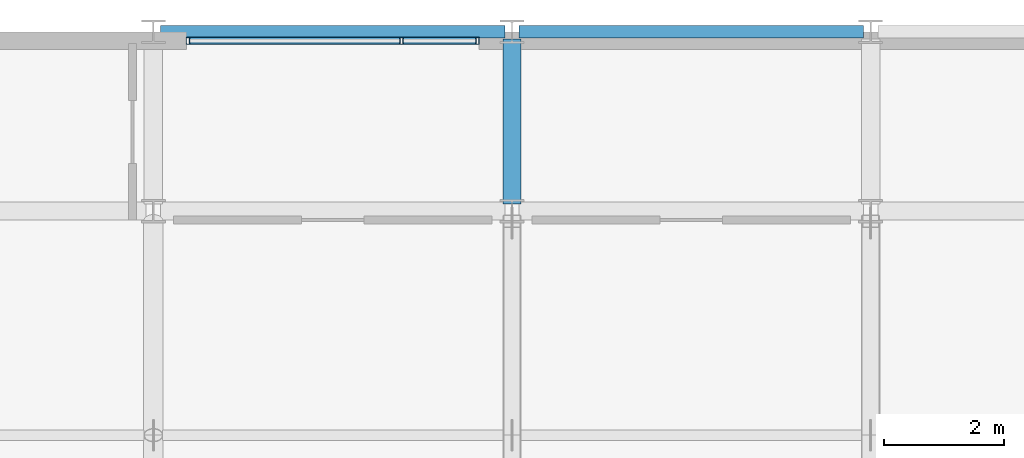
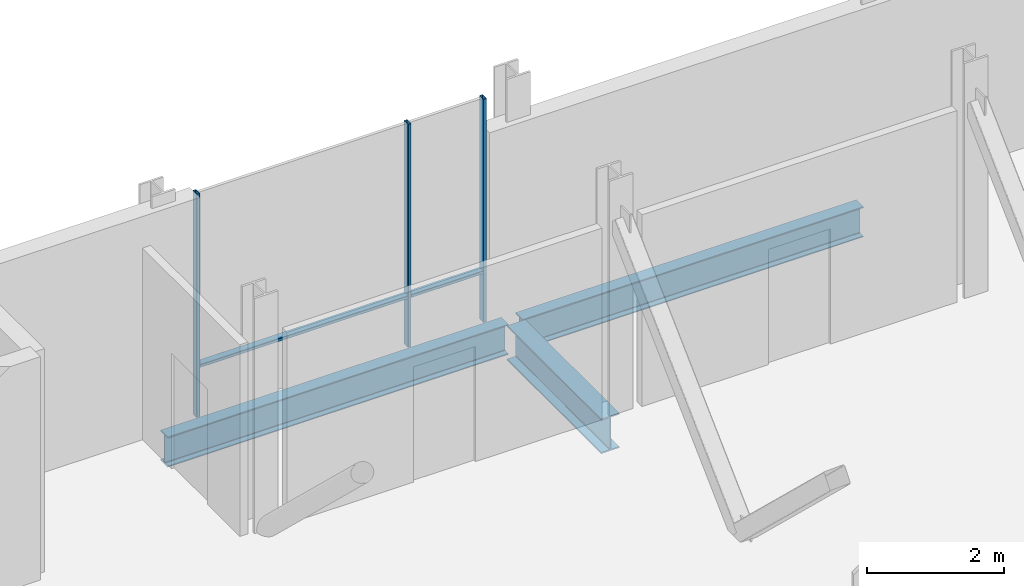
# One storey, part 8 of 33: 5 members, 3 beams, 1 element without a shape of its own.
"""IFC4 building model written with IfcOpenShell, lengths in metres."""

from ifc_helpers import new_model, si_unit, direction, frame, origin, origin_2d, place, context, subcontext, project, spatial, hollow_rectangle, i_section, extrude, material, layer, layer_set, material_profile, profile_set, type_object, element, aggregate, save


model = new_model("IFC4")

# Units and contexts
model_context = context("Model", 3, precision=1e-05, world=origin(), true_north=direction((0.0, 1.0)))
body_context = subcontext(model_context, "Body", "Model", "MODEL_VIEW")
ifc_project = project(units=[si_unit("LENGTHUNIT", "METRE"), si_unit("AREAUNIT", "SQUARE_METRE"), si_unit("VOLUMEUNIT", "CUBIC_METRE"), si_unit("PLANEANGLEUNIT", "RADIAN"), si_unit("MASSUNIT", "GRAM", prefix="KILO")], contexts=[model_context])

# Site, building, storey
site_placement = place(None, origin())
site = spatial("IfcSite", under=ifc_project, at=site_placement, CompositionType="ELEMENT")
building_placement = place(site_placement, origin())
building = spatial("IfcBuilding", under=site, at=building_placement, Name="Brevholm Reach", CompositionType="ELEMENT")
storey_placement = place(building_placement, frame((0.0, 0.0, 179.0)))
storey = spatial("IfcBuildingStorey", under=building, at=storey_placement, Name="L54", CompositionType="ELEMENT", Elevation=179.0)

# Beams
ifc_material_1 = material(Name="Structural Steel S355J2", Category="steel")
ifc_material_profile_1 = material_profile(ifc_material_1, i_section(OverallWidth=0.210693359375, OverallDepth=0.53955078125, WebThickness=0.01171875, FlangeThickness=0.018798828125, FilletRadius=0.0126953125, at=origin_2d()), Name="UKB 533x210x109")
ifc_profile_set_1 = profile_set([ifc_material_profile_1], Name="Structural Steel S355J2")
beam_type_1 = type_object("IfcBeamType", Name="BM-SP539", PredefinedType="SPANDREL", material=ifc_profile_set_1)
for number, where, z_axis, x_axis, name in (
    (1, (6.1201171875, 26.5, -0.52978515625), (1.0, 0.0, 0.0), (0.0, 1.0, 0.0), "L54 SP-01B Framing Beam"),
    (2, (12.1201171875, 26.5, -0.52978515625), (1.0, 0.0, 0.0), (0.0, 1.0, 0.0), "L54 SP-01B Framing Beam"),
):
    element("IfcBeam", number, at=place(storey_placement, frame(where, z_axis=z_axis, x_axis=x_axis)), inside=storey, type_object=beam_type_1, Name=name, PredefinedType="SPANDREL", context=body_context, shape_type="SweptSolid", body=[
        extrude(i_section(OverallWidth=0.210693359375, OverallDepth=0.53955078125, WebThickness=0.01171875, FlangeThickness=0.018798828125, FilletRadius=0.0126953125, at=origin_2d()), origin(), (0.0, 0.0, 1.0), 5.759765625),
    ])
ifc_material_2 = material(Name="Structural Steel S355J2", Category="steel")
ifc_material_profile_2 = material_profile(ifc_material_2, i_section(OverallWidth=0.30712890625, OverallDepth=0.6201171875, WebThickness=0.01416015625, FlangeThickness=0.023681640625, FilletRadius=0.0166015625, at=origin_2d()), Name="UKB 610x305x179")
ifc_profile_set_2 = profile_set([ifc_material_profile_2], Name="Structural Steel S355J2")
beam_type_2 = type_object("IfcBeamType", Name="BM-UKB610H", PredefinedType="USERDEFINED", material=ifc_profile_set_2)
beam_placement = place(storey_placement, frame((12.0, 23.6201171875, -0.570068359375), z_axis=(0.0, 1.0, 0.0), x_axis=(-1.0, 0.0, 0.0)))
element("IfcBeam", 3, at=beam_placement, inside=storey, type_object=beam_type_2, Name="L54 G-06 Framing Beam", ObjectType="GIRDER", PredefinedType="USERDEFINED", context=body_context, shape_type="SweptSolid", body=[
    extrude(i_section(OverallWidth=0.30712890625, OverallDepth=0.6201171875, WebThickness=0.01416015625, FlangeThickness=0.023681640625, FilletRadius=0.0166015625, at=origin_2d()), origin(), (0.0, 0.0, 1.0), 2.759765625),
])

# Curtain wall, members
ifc_material_3 = material(Name="Dark Anodised Aluminium 6063-T6 and Solar-Control Glass", Category="aluminium")
ifc_layer = layer(ifc_material_3, 0.1201171875)
ifc_layer_set = layer_set([ifc_layer], Name="Dark Anodised Aluminium 6063-T6 and Solar-Control Glass")
curtain_wall_type = type_object("IfcCurtainWallType", Name="CW-06", PredefinedType="NOTDEFINED", material=ifc_layer_set)
curtain_wall_placement = place(storey_placement, origin())
curtain_wall = element("IfcCurtainWall", 4, at=curtain_wall_placement, inside=storey, type_object=curtain_wall_type, Name="L54 Curtain Wall CW-06", PredefinedType="NOTDEFINED")
ifc_material_4 = material(Name="Dark Anodised Aluminium 6063-T6", Category="aluminium")
ifc_material_profile_3 = material_profile(ifc_material_4, hollow_rectangle(XDim=0.054931640625, YDim=0.1201171875, WallThickness=0.00390625, InnerFilletRadius=0.00390625, OuterFilletRadius=0.008056640625, at=origin_2d()), Name="RHS 120x55x4")
ifc_profile_set_3 = profile_set([ifc_material_profile_3], Name="Dark Anodised Aluminium 6063-T6")
member_type_1 = type_object("IfcMemberType", Name="CWM-120", PredefinedType="MULLION", material=ifc_profile_set_3)
member_1_placement = place(storey_placement, frame((6.577392578125, 26.35009765625, 0.0), z_axis=(0.0, 0.0, 1.0), x_axis=(1.0, 0.0, 0.0)))
member_1 = element("IfcMember", 5, at=member_1_placement, type_object=member_type_1, Name="CM-120 Mullion 1", PredefinedType="MULLION", context=body_context, shape_type="SweptSolid", body=[
    extrude(hollow_rectangle(XDim=0.054931640625, YDim=0.1201171875, WallThickness=0.00390625, InnerFilletRadius=0.00390625, OuterFilletRadius=0.008056640625, at=origin_2d()), origin(), (0.0, 0.0, 1.0), 3.989990234375),
])
member_2_placement = place(storey_placement, frame((10.14990234375, 26.35009765625, 0.0), z_axis=(0.0, 0.0, 1.0), x_axis=(1.0, 0.0, 0.0)))
member_2 = element("IfcMember", 6, at=member_2_placement, type_object=member_type_1, Name="CM-120 Mullion 2", PredefinedType="MULLION", context=body_context, shape_type="SweptSolid", body=[
    extrude(hollow_rectangle(XDim=0.054931640625, YDim=0.1201171875, WallThickness=0.00390625, InnerFilletRadius=0.00390625, OuterFilletRadius=0.008056640625, at=origin_2d()), origin(), (0.0, 0.0, 1.0), 3.989990234375),
])
member_3_placement = place(storey_placement, frame((11.422607421875, 26.35009765625, 0.0), z_axis=(0.0, 0.0, 1.0), x_axis=(1.0, 0.0, 0.0)))
member_3 = element("IfcMember", 7, at=member_3_placement, type_object=member_type_1, Name="CM-120 Mullion 3", PredefinedType="MULLION", context=body_context, shape_type="SweptSolid", body=[
    extrude(hollow_rectangle(XDim=0.054931640625, YDim=0.1201171875, WallThickness=0.00390625, InnerFilletRadius=0.00390625, OuterFilletRadius=0.008056640625, at=origin_2d()), origin(), (0.0, 0.0, 1.0), 3.989990234375),
])
ifc_material_5 = material(Name="Dark Anodised Aluminium 6063-T6", Category="aluminium")
ifc_material_profile_4 = material_profile(ifc_material_5, hollow_rectangle(XDim=0.054931640625, YDim=0.1201171875, WallThickness=0.00390625, InnerFilletRadius=0.00390625, OuterFilletRadius=0.008056640625, at=origin_2d()), Name="RHS 120x55x4")
ifc_profile_set_4 = profile_set([ifc_material_profile_4], Name="Dark Anodised Aluminium 6063-T6")
member_type_2 = type_object("IfcMemberType", Name="CWT-120", PredefinedType="NOTDEFINED", material=ifc_profile_set_4)
member_4_placement = place(storey_placement, frame((6.60498046875, 26.35009765625, 0.89990234375), z_axis=(1.0, 0.0, 0.0), x_axis=(0.0, 0.0, 1.0)))
member_4 = element("IfcMember", 8, at=member_4_placement, type_object=member_type_2, Name="CT-120 Transom 1.1", ObjectType="TRANSOM", PredefinedType="USERDEFINED", context=body_context, shape_type="SweptSolid", body=[
    extrude(hollow_rectangle(XDim=0.054931640625, YDim=0.1201171875, WallThickness=0.00390625, InnerFilletRadius=0.00390625, OuterFilletRadius=0.008056640625, at=origin_2d()), origin(), (0.0, 0.0, 1.0), 3.517578125),
])
member_5_placement = place(storey_placement, frame((10.177490234375, 26.35009765625, 0.89990234375), z_axis=(1.0, 0.0, 0.0), x_axis=(0.0, 0.0, 1.0)))
member_5 = element("IfcMember", 9, at=member_5_placement, type_object=member_type_2, Name="CT-120 Transom 2.1", ObjectType="TRANSOM", PredefinedType="USERDEFINED", context=body_context, shape_type="SweptSolid", body=[
    extrude(hollow_rectangle(XDim=0.054931640625, YDim=0.1201171875, WallThickness=0.00390625, InnerFilletRadius=0.00390625, OuterFilletRadius=0.008056640625, at=origin_2d()), origin(), (0.0, 0.0, 1.0), 1.217529296875),
])
aggregate(curtain_wall, [member_1, member_2, member_3, member_4, member_5])

save(model, "model.ifc")
